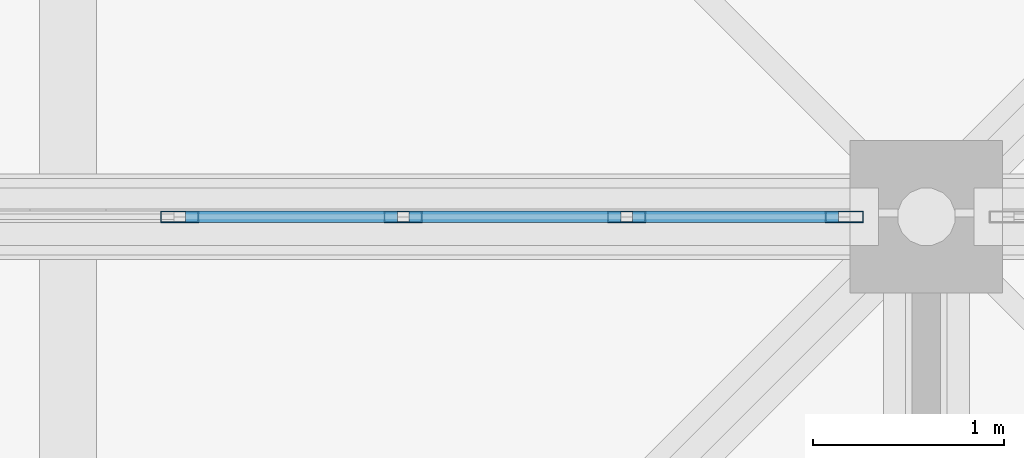
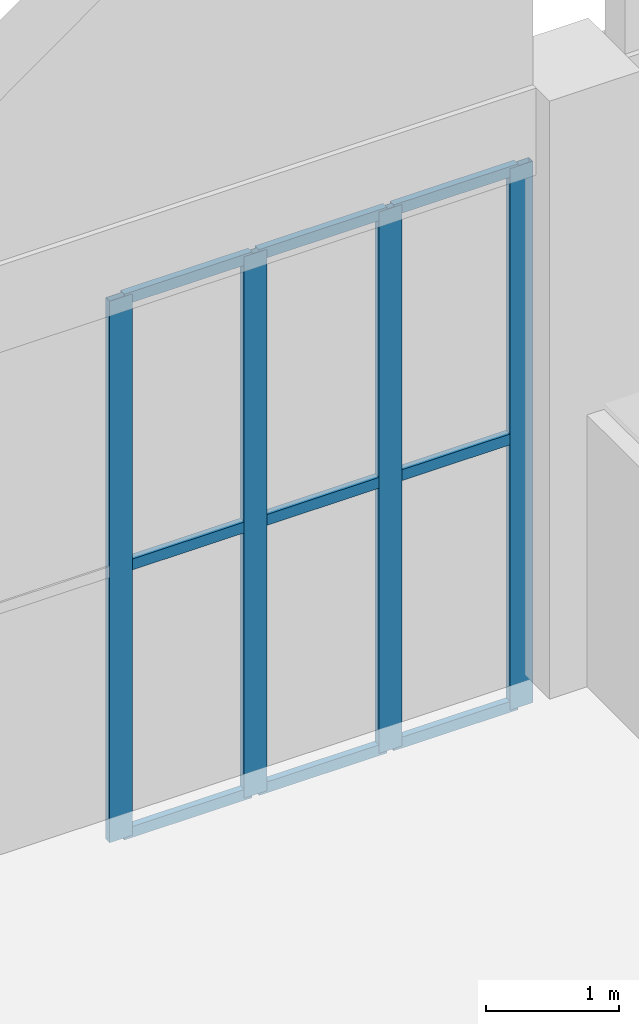
# One storey, part 133 of 437: 13 members, 1 element without a shape of its own.
"""IFC4 building model written with IfcOpenShell, lengths in metres."""

from ifc_helpers import new_model, si_unit, direction, frame, origin, origin_2d, place, context, subcontext, project, spatial, hollow_rectangle, extrude, material, layer, layer_set, material_profile, profile_set, type_object, element, aggregate, save


model = new_model("IFC4")

# Units and contexts
model_context = context("Model", 3, precision=1e-05, world=origin(), true_north=direction((0.0, 1.0)))
body_context = subcontext(model_context, "Body", "Model", "MODEL_VIEW")
ifc_project = project(units=[si_unit("LENGTHUNIT", "METRE"), si_unit("AREAUNIT", "SQUARE_METRE"), si_unit("VOLUMEUNIT", "CUBIC_METRE"), si_unit("PLANEANGLEUNIT", "RADIAN"), si_unit("MASSUNIT", "GRAM", prefix="KILO")], contexts=[model_context])

# Site, building, storey
site_placement = place(None, origin())
site = spatial("IfcSite", under=ifc_project, at=site_placement, CompositionType="ELEMENT")
building_placement = place(site_placement, origin())
building = spatial("IfcBuilding", under=site, at=building_placement, Name="Opaline Strait Convention Centre", CompositionType="ELEMENT")
storey_placement = place(building_placement, frame((0.0, 0.0, 11.5)))
storey = spatial("IfcBuildingStorey", under=building, at=storey_placement, Name="L02", CompositionType="ELEMENT", Elevation=11.5)

# Curtain wall, members
ifc_material_1 = material(Name="Aluminium framed double glazing", Category="aluminium")
ifc_layer = layer(ifc_material_1, 0.199951171875)
ifc_layer_set = layer_set([ifc_layer], Name="Aluminium framed double glazing")
curtain_wall_type = type_object("IfcCurtainWallType", Name="Curtain wall 1250", PredefinedType="NOTDEFINED", material=ifc_layer_set)
curtain_wall_placement = place(storey_placement, origin())
curtain_wall = element("IfcCurtainWall", 1, at=curtain_wall_placement, inside=storey, type_object=curtain_wall_type, Name="Curtain wall N-45-L02", PredefinedType="NOTDEFINED")
ifc_material_2 = material(Name="Aluminium alloy 6063", Category="aluminium")
ifc_material_profile_1 = material_profile(ifc_material_2, hollow_rectangle(XDim=0.06005859375, YDim=0.199951171875, WallThickness=0.00390625, at=origin_2d()), Name="MULLION 60x200x4")
ifc_profile_set_1 = profile_set([ifc_material_profile_1], Name="Aluminium alloy 6063")
member_type_1 = type_object("IfcMemberType", Name="Curtain wall mullion 60 x 200", PredefinedType="MULLION", material=ifc_profile_set_1)
member_1_placement = place(storey_placement, frame((50.085693359375, 180.0, -0.280029296875), z_axis=(0.0, 0.0, 1.0), x_axis=(0.0, 1.0, 0.0)))
member_1 = element("IfcMember", 2, at=member_1_placement, type_object=member_type_1, Name="PCW mullion 5", PredefinedType="MULLION", context=body_context, shape_type="SweptSolid", body=[
    extrude(hollow_rectangle(XDim=0.06005859375, YDim=0.199951171875, WallThickness=0.00390625, at=origin_2d()), origin(), (0.0, 0.0, 1.0), 4.97998046875),
])
member_2_placement = place(storey_placement, frame((51.257080078125, 180.0, -0.280029296875), z_axis=(0.0, 0.0, 1.0), x_axis=(0.0, 1.0, 0.0)))
member_2 = element("IfcMember", 3, at=member_2_placement, type_object=member_type_1, Name="PCW mullion 6", PredefinedType="MULLION", context=body_context, shape_type="SweptSolid", body=[
    extrude(hollow_rectangle(XDim=0.06005859375, YDim=0.199951171875, WallThickness=0.00390625, at=origin_2d()), origin(), (0.0, 0.0, 1.0), 4.97998046875),
])
member_3_placement = place(storey_placement, frame((52.4287109375, 180.0, -0.280029296875), z_axis=(0.0, 0.0, 1.0), x_axis=(0.0, 1.0, 0.0)))
member_3 = element("IfcMember", 4, at=member_3_placement, type_object=member_type_1, Name="PCW mullion 7", PredefinedType="MULLION", context=body_context, shape_type="SweptSolid", body=[
    extrude(hollow_rectangle(XDim=0.06005859375, YDim=0.199951171875, WallThickness=0.00390625, at=origin_2d()), origin(), (0.0, 0.0, 1.0), 4.97998046875),
])
member_4_placement = place(storey_placement, frame((53.570068359375, 180.0, -0.280029296875), z_axis=(0.0, 0.0, 1.0), x_axis=(0.0, 1.0, 0.0)))
member_4 = element("IfcMember", 5, at=member_4_placement, type_object=member_type_1, Name="PCW mullion 8", PredefinedType="MULLION", context=body_context, shape_type="SweptSolid", body=[
    extrude(hollow_rectangle(XDim=0.06005859375, YDim=0.199951171875, WallThickness=0.00390625, at=origin_2d()), origin(), (0.0, 0.0, 1.0), 4.97998046875),
])
ifc_material_profile_2 = material_profile(ifc_material_2, hollow_rectangle(XDim=0.06005859375, YDim=0.10009765625, WallThickness=0.0029296875, at=origin_2d()), Name="TRANSOM 60x100x3")
ifc_profile_set_2 = profile_set([ifc_material_profile_2], Name="Aluminium alloy 6063")
member_type_2 = type_object("IfcMemberType", Name="Curtain wall transom 60 x 100", PredefinedType="USERDEFINED", material=ifc_profile_set_2)
member_5_placement = place(storey_placement, frame((50.11572265625, 180.0, -0.25), z_axis=(1.0, 0.0, 0.0), x_axis=(0.0, 1.0, 0.0)))
member_5 = element("IfcMember", 6, at=member_5_placement, type_object=member_type_2, Name="PCW transom 5.1", ObjectType="TRANSOM", PredefinedType="USERDEFINED", context=body_context, shape_type="SweptSolid", body=[
    extrude(hollow_rectangle(XDim=0.06005859375, YDim=0.10009765625, WallThickness=0.0029296875, at=origin_2d()), origin(), (0.0, 0.0, 1.0), 1.111572265625),
])
member_6_placement = place(storey_placement, frame((50.11572265625, 180.0, 2.2099609375), z_axis=(1.0, 0.0, 0.0), x_axis=(0.0, 1.0, 0.0)))
member_6 = element("IfcMember", 7, at=member_6_placement, type_object=member_type_2, Name="PCW transom 5.2", ObjectType="TRANSOM", PredefinedType="USERDEFINED", context=body_context, shape_type="SweptSolid", body=[
    extrude(hollow_rectangle(XDim=0.06005859375, YDim=0.10009765625, WallThickness=0.0029296875, at=origin_2d()), origin(), (0.0, 0.0, 1.0), 1.111572265625),
])
member_7_placement = place(storey_placement, frame((50.11572265625, 180.0, 4.669921875), z_axis=(1.0, 0.0, 0.0), x_axis=(0.0, 1.0, 0.0)))
member_7 = element("IfcMember", 8, at=member_7_placement, type_object=member_type_2, Name="PCW transom 5.3", ObjectType="TRANSOM", PredefinedType="USERDEFINED", context=body_context, shape_type="SweptSolid", body=[
    extrude(hollow_rectangle(XDim=0.06005859375, YDim=0.10009765625, WallThickness=0.0029296875, at=origin_2d()), origin(), (0.0, 0.0, 1.0), 1.111572265625),
])
member_8_placement = place(storey_placement, frame((51.287109375, 180.0, -0.25), z_axis=(1.0, 0.0, 0.0), x_axis=(0.0, 1.0, 0.0)))
member_8 = element("IfcMember", 9, at=member_8_placement, type_object=member_type_2, Name="PCW transom 6.1", ObjectType="TRANSOM", PredefinedType="USERDEFINED", context=body_context, shape_type="SweptSolid", body=[
    extrude(hollow_rectangle(XDim=0.06005859375, YDim=0.10009765625, WallThickness=0.0029296875, at=origin_2d()), origin(), (0.0, 0.0, 1.0), 1.111572265625),
])
member_9_placement = place(storey_placement, frame((51.287109375, 180.0, 2.2099609375), z_axis=(1.0, 0.0, 0.0), x_axis=(0.0, 1.0, 0.0)))
member_9 = element("IfcMember", 10, at=member_9_placement, type_object=member_type_2, Name="PCW transom 6.2", ObjectType="TRANSOM", PredefinedType="USERDEFINED", context=body_context, shape_type="SweptSolid", body=[
    extrude(hollow_rectangle(XDim=0.06005859375, YDim=0.10009765625, WallThickness=0.0029296875, at=origin_2d()), origin(), (0.0, 0.0, 1.0), 1.111572265625),
])
member_10_placement = place(storey_placement, frame((51.287109375, 180.0, 4.669921875), z_axis=(1.0, 0.0, 0.0), x_axis=(0.0, 1.0, 0.0)))
member_10 = element("IfcMember", 11, at=member_10_placement, type_object=member_type_2, Name="PCW transom 6.3", ObjectType="TRANSOM", PredefinedType="USERDEFINED", context=body_context, shape_type="SweptSolid", body=[
    extrude(hollow_rectangle(XDim=0.06005859375, YDim=0.10009765625, WallThickness=0.0029296875, at=origin_2d()), origin(), (0.0, 0.0, 1.0), 1.111572265625),
])
member_11_placement = place(storey_placement, frame((52.458740234375, 180.0, -0.25), z_axis=(1.0, 0.0, 0.0), x_axis=(0.0, 1.0, 0.0)))
member_11 = element("IfcMember", 12, at=member_11_placement, type_object=member_type_2, Name="PCW transom 7.1", ObjectType="TRANSOM", PredefinedType="USERDEFINED", context=body_context, shape_type="SweptSolid", body=[
    extrude(hollow_rectangle(XDim=0.06005859375, YDim=0.10009765625, WallThickness=0.0029296875, at=origin_2d()), origin(), (0.0, 0.0, 1.0), 1.081298828125),
])
member_12_placement = place(storey_placement, frame((52.458740234375, 180.0, 2.2099609375), z_axis=(1.0, 0.0, 0.0), x_axis=(0.0, 1.0, 0.0)))
member_12 = element("IfcMember", 13, at=member_12_placement, type_object=member_type_2, Name="PCW transom 7.2", ObjectType="TRANSOM", PredefinedType="USERDEFINED", context=body_context, shape_type="SweptSolid", body=[
    extrude(hollow_rectangle(XDim=0.06005859375, YDim=0.10009765625, WallThickness=0.0029296875, at=origin_2d()), origin(), (0.0, 0.0, 1.0), 1.081298828125),
])
member_13_placement = place(storey_placement, frame((52.458740234375, 180.0, 4.669921875), z_axis=(1.0, 0.0, 0.0), x_axis=(0.0, 1.0, 0.0)))
member_13 = element("IfcMember", 14, at=member_13_placement, type_object=member_type_2, Name="PCW transom 7.3", ObjectType="TRANSOM", PredefinedType="USERDEFINED", context=body_context, shape_type="SweptSolid", body=[
    extrude(hollow_rectangle(XDim=0.06005859375, YDim=0.10009765625, WallThickness=0.0029296875, at=origin_2d()), origin(), (0.0, 0.0, 1.0), 1.081298828125),
])
aggregate(curtain_wall, [member_1, member_2, member_3, member_4, member_5, member_6, member_7, member_8, member_9, member_10, member_11, member_12, member_13])

save(model, "model.ifc")
